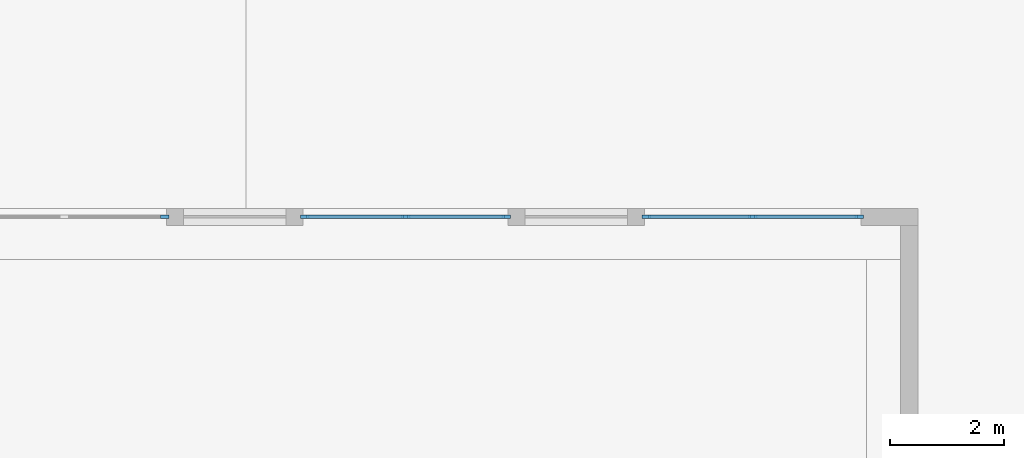
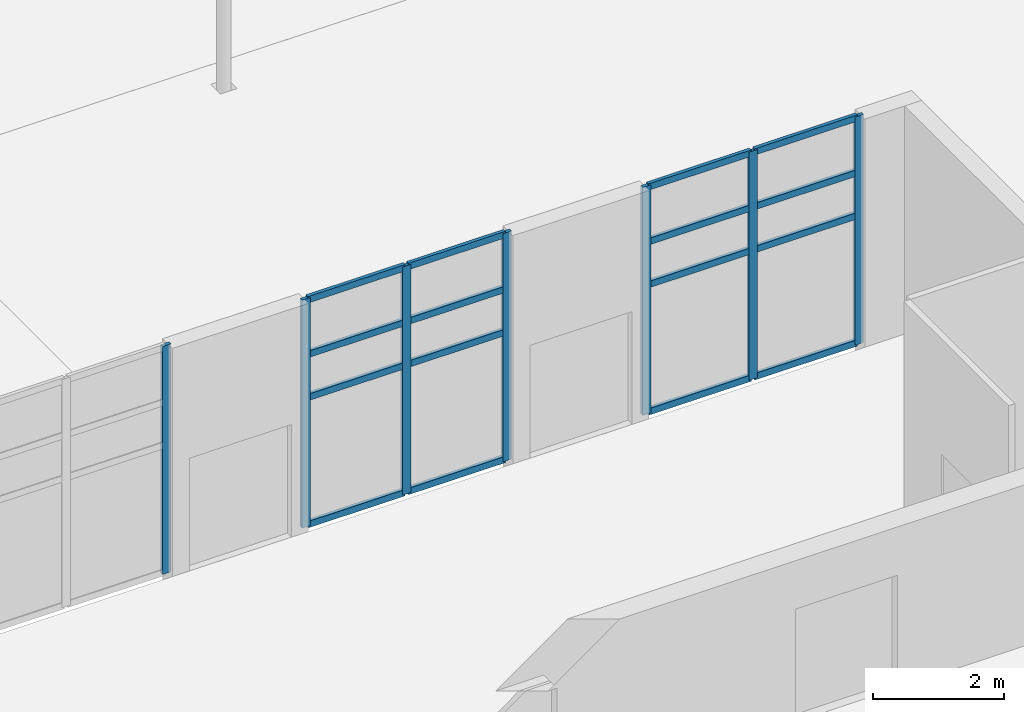
# One storey, part 25 of 112: 23 members, 3 elements without a shape of their own.
"""IFC4 building model written with IfcOpenShell, lengths in metres."""

import ifcopenshell
import ifcopenshell.guid

model = None  # the IFC model being written
_history = None  # IfcOwnerHistory: only IFC2X3 demands one
_inside = {}  # id of a spatial element -> (the spatial element, [elements in it])
_under = {}  # id of a project, library or spatial element -> (it, [spatial elements below it])
_declared = {}  # id of a project -> (the project, [libraries it declares])
_typed = {}  # id of a type object -> (the type object, [elements of that type])
_made_of = {}  # id of a material, layer set ... -> (it, [elements and type objects made of it])


def new_model(schema):
    """Start an empty IFC model of exactly this schema.

    Asked for "IFC4X3", IfcOpenShell would pick the latest addendum, in which some entities
    have other attributes; the version numbers below select the first issue.
    IFC2X3 requires an IfcOwnerHistory on every rooted entity: one is made here for all.
    """
    global model, _history
    if schema == "IFC4X3":
        model = ifcopenshell.file(schema_version=(4, 3, 0, 0))
    else:
        model = ifcopenshell.file(schema=schema)
    _inside.clear()
    _under.clear()
    _declared.clear()
    _typed.clear()
    _made_of.clear()
    _history = None
    if model.schema == "IFC2X3":
        org = make("IfcOrganization", Name="unknown")
        user = make(
            "IfcPersonAndOrganization",
            ThePerson=make("IfcPerson", FamilyName="unknown"),
            TheOrganization=org,
        )
        app = make(
            "IfcApplication",
            ApplicationDeveloper=org,
            Version="unknown",
            ApplicationFullName="unknown",
            ApplicationIdentifier="unknown",
        )
        _history = make(
            "IfcOwnerHistory",
            OwningUser=user,
            OwningApplication=app,
            ChangeAction="ADDED",
            CreationDate=0,
        )
    return model


def make(cls, **values):
    """One entity of the class cls with the attributes given. An attribute that is None is left unset."""
    return model.create_entity(
        cls, **{name: value for name, value in values.items() if value is not None}
    )


def rooted(cls, **values):
    """An entity with a GlobalId (a new one), such as an element, a storey or a relation."""
    return make(cls, GlobalId=ifcopenshell.guid.new(), OwnerHistory=_history, **values)


def si_unit(unit_type, name, prefix=None):
    """IfcSIUnit, for example si_unit("LENGTHUNIT", "METRE", prefix="MILLI")."""
    return make("IfcSIUnit", UnitType=unit_type, Prefix=prefix, Name=name)


def assignment(units):
    """IfcUnitAssignment: the units of a project."""
    return None if units is None else make("IfcUnitAssignment", Units=units)


def point(xyz):
    """IfcCartesianPoint."""
    return None if xyz is None else make("IfcCartesianPoint", Coordinates=xyz)


def direction(xyz):
    """IfcDirection."""
    return None if xyz is None else make("IfcDirection", DirectionRatios=xyz)


def frame(location, z_axis=None, x_axis=None):
    """IfcAxis2Placement3D, a coordinate frame: its origin and axes. An axis left out is left unset."""
    return make(
        "IfcAxis2Placement3D",
        Location=point(location),
        Axis=direction(z_axis),
        RefDirection=direction(x_axis),
    )


def frame_2d(location, x_axis=None):
    """IfcAxis2Placement2D, a coordinate frame in the plane: its origin and x axis."""
    return make(
        "IfcAxis2Placement2D", Location=point(location), RefDirection=direction(x_axis)
    )


def origin():
    """The frame at (0, 0, 0) with its axes left unset."""
    return frame((0.0, 0.0, 0.0))


def origin_2d():
    """The frame at (0, 0) in the plane with its x axis left unset."""
    return frame_2d((0.0, 0.0))


def place(relative_to, where):
    """IfcLocalPlacement: puts the frame where relative to a parent placement (None: the world)."""
    return make(
        "IfcLocalPlacement", PlacementRelTo=relative_to, RelativePlacement=where
    )


def context(
    kind, dimensions, precision=None, world=None, true_north=None, identifier=None
):
    """IfcGeometricRepresentationContext, for example the 3D "Model" context."""
    return make(
        "IfcGeometricRepresentationContext",
        ContextIdentifier=identifier,
        ContextType=kind,
        CoordinateSpaceDimension=dimensions,
        Precision=precision,
        WorldCoordinateSystem=world,
        TrueNorth=true_north,
    )


def subcontext(parent, identifier, kind, view, scale=None):
    """IfcGeometricRepresentationSubContext, for example "Body" below "Model"."""
    return make(
        "IfcGeometricRepresentationSubContext",
        ContextIdentifier=identifier,
        ContextType=kind,
        ParentContext=parent,
        TargetScale=scale,
        TargetView=view,
    )


def project(units=None, contexts=None):
    """IfcProject with its units and contexts."""
    return rooted(
        "IfcProject",
        Name="project",
        RepresentationContexts=contexts,
        UnitsInContext=assignment(units),
    )


def spatial(cls, under=None, at=None, **own):
    """A site, building, storey or space (cls), placed at a placement, below another one or the project."""
    s = rooted(cls, ObjectPlacement=at, **own)
    if under is not None:
        _under.setdefault(under.id(), (under, []))[1].append(s)
    return s


def profile(cls, at=None, kind="AREA", **sizes):
    """A parametric profile (cls). Its sizes go by their IFC names, for example OverallWidth=200.0."""
    return make(cls, ProfileType=kind, Position=at, **sizes)


def rectangle(**sizes):
    """IfcRectangleProfileDef."""
    return profile("IfcRectangleProfileDef", **sizes)


def extrude(swept, where, along, depth):
    """IfcExtrudedAreaSolid: the profile swept, set in the frame where, extruded along a direction by depth."""
    return make(
        "IfcExtrudedAreaSolid",
        SweptArea=swept,
        Position=where,
        ExtrudedDirection=direction(along),
        Depth=depth,
    )


def shape(context_of_items, identifier, shape_type, items):
    """IfcShapeRepresentation: the items that make up one representation, for example the "Body"."""
    return make(
        "IfcShapeRepresentation",
        ContextOfItems=context_of_items,
        RepresentationIdentifier=identifier,
        RepresentationType=shape_type,
        Items=items,
    )


def material(Name=None, Category=None):
    """IfcMaterial."""
    return make("IfcMaterial", Name=Name, Category=Category)


def layer(
    of_material, thickness, ventilated=None, Name=None, Category=None, Priority=None
):
    """IfcMaterialLayer: one layer of a wall or slab, of a material (None: an air gap)."""
    return make(
        "IfcMaterialLayer",
        Material=of_material,
        LayerThickness=thickness,
        IsVentilated=ventilated,
        Name=Name,
        Category=Category,
        Priority=Priority,
    )


def layer_set(layers, Name=None):
    """IfcMaterialLayerSet."""
    return make("IfcMaterialLayerSet", MaterialLayers=layers, LayerSetName=Name)


def material_profile(
    of_material, cross_section, Name=None, Category=None, Priority=None
):
    """IfcMaterialProfile: a cross section and its material."""
    return make(
        "IfcMaterialProfile",
        Name=Name,
        Material=of_material,
        Profile=cross_section,
        Priority=Priority,
        Category=Category,
    )


def profile_set(profiles, Name=None, composite=None):
    """IfcMaterialProfileSet."""
    return make(
        "IfcMaterialProfileSet",
        Name=Name,
        MaterialProfiles=profiles,
        CompositeProfile=composite,
    )


def made_of(thing, what):
    """Note that an element or type object is made of a material, layer set ...; save() writes the relation."""
    if what is not None:
        _made_of.setdefault(what.id(), (what, []))[1].append(thing)
    return thing


def type_object(cls, material=None, **own):
    """A type object (cls), such as IfcWallType, which elements share."""
    return made_of(rooted(cls, **own), material)


def element(
    cls,
    number,
    at=None,
    inside=None,
    cuts=None,
    type_object=None,
    material=None,
    context=None,
    identifier="Body",
    shape_type=None,
    held_by="IfcProductDefinitionShape",
    body=None,
    shapes=None,
    **own,
):
    """One element of the class cls, such as IfcWall. Its Tag is "e" and its number.

    at: its placement. inside: the storey or other place that contains it. cuts: it is an
    opening in that element (IfcRelVoidsElement). A single representation is given by context,
    identifier, shape_type and body (its items); several are given by shapes. held_by: the class
    of the entity that holds the representations. save() writes the other relations.
    """
    e = rooted(cls, Tag="e%d" % number, ObjectPlacement=at, **own)
    if body is not None:
        shapes = [shape(context, identifier, shape_type, body)]
    if shapes is not None:
        e.Representation = make(held_by, Representations=shapes)
    if inside is not None:
        _inside.setdefault(inside.id(), (inside, []))[1].append(e)
    if cuts is not None:
        rooted(
            "IfcRelVoidsElement", RelatingBuildingElement=cuts, RelatedOpeningElement=e
        )
    if type_object is not None:
        _typed.setdefault(type_object.id(), (type_object, []))[1].append(e)
    return made_of(e, material)


def aggregate(whole, parts):
    """IfcRelAggregates: a whole, such as a stair, and the parts it consists of."""
    return rooted("IfcRelAggregates", RelatingObject=whole, RelatedObjects=parts)


def save(model, path):
    """Write the relations noted so far, then the file.

    IfcRelAggregates (storeys below a building ...), IfcRelContainedInSpatialStructure (elements
    in a storey), IfcRelDefinesByType, IfcRelAssociatesMaterial and IfcRelDeclares: one each for
    every whole, place, type object, material and project.
    """
    for whole, parts in _under.values():
        aggregate(whole, parts)
    for where, things in _inside.values():
        rooted(
            "IfcRelContainedInSpatialStructure",
            RelatedElements=things,
            RelatingStructure=where,
        )
    for kind, things in _typed.values():
        rooted("IfcRelDefinesByType", RelatedObjects=things, RelatingType=kind)
    for what, things in _made_of.values():
        rooted("IfcRelAssociatesMaterial", RelatedObjects=things, RelatingMaterial=what)
    for by, libraries in _declared.values():
        rooted("IfcRelDeclares", RelatingContext=by, RelatedDefinitions=libraries)
    model.write(path)


model = new_model("IFC4")

# Units and contexts
model_context = context("Model", 3, precision=1e-05, world=origin(), true_north=direction((0.0, 1.0)))
body_context = subcontext(model_context, "Body", "Model", "MODEL_VIEW")
ifc_project = project(units=[si_unit("LENGTHUNIT", "METRE"), si_unit("AREAUNIT", "SQUARE_METRE"), si_unit("VOLUMEUNIT", "CUBIC_METRE"), si_unit("PLANEANGLEUNIT", "RADIAN"), si_unit("MASSUNIT", "GRAM", prefix="KILO")], contexts=[model_context])

# Site, building, storey
site_placement = place(None, origin())
site = spatial("IfcSite", under=ifc_project, at=site_placement, CompositionType="ELEMENT")
building_placement = place(site_placement, origin())
building = spatial("IfcBuilding", under=site, at=building_placement, Name="Ridgestep Commons", CompositionType="ELEMENT")
storey_placement = place(building_placement, origin())
storey = spatial("IfcBuildingStorey", under=building, at=storey_placement, Name="L00", CompositionType="ELEMENT", Elevation=0.0)

# Curtain wall, member
ifc_material_1 = material(Name="Aluminium and glass", Category="aluminium")
ifc_layer = layer(ifc_material_1, 0.199951171875)
ifc_layer_set = layer_set([ifc_layer], Name="Foyer curtain wall")
curtain_wall_type = type_object("IfcCurtainWallType", Name="Foyer curtain wall", PredefinedType="NOTDEFINED", material=ifc_layer_set)
curtain_wall_1_placement = place(storey_placement, origin())
curtain_wall_1 = element("IfcCurtainWall", 1, at=curtain_wall_1_placement, inside=storey, type_object=curtain_wall_type, Name="Foyer curtain wall", PredefinedType="NOTDEFINED")
ifc_material_2 = material(Name="Aluminium", Category="aluminium")
ifc_material_profile_1 = material_profile(ifc_material_2, rectangle(XDim=0.06005859375, YDim=0.14990234375, at=origin_2d()), Name="Foyer mullion 60 x 150")
ifc_profile_set_1 = profile_set([ifc_material_profile_1], Name="Aluminium")
member_type_1 = type_object("IfcMemberType", Name="Foyer mullion 60 x 150", PredefinedType="MULLION", material=ifc_profile_set_1)
member_1_placement = place(storey_placement, frame((128.570068359375, 72.64990234375, 0.0), z_axis=(0.0, 0.0, 1.0), x_axis=(0.0, 1.0, 0.0)))
member_1 = element("IfcMember", 2, at=member_1_placement, type_object=member_type_1, Name="CW2 mullion 3", PredefinedType="MULLION", context=body_context, shape_type="SweptSolid", body=[
    extrude(rectangle(XDim=0.06005859375, YDim=0.14990234375, at=origin_2d()), origin(), (0.0, 0.0, 1.0), 4.25),
])
aggregate(curtain_wall_1, [member_1])

# Curtain wall, members
curtain_wall_2_placement = place(storey_placement, origin())
curtain_wall_2 = element("IfcCurtainWall", 3, at=curtain_wall_2_placement, inside=storey, type_object=curtain_wall_type, Name="Foyer curtain wall", PredefinedType="NOTDEFINED")
member_2_placement = place(storey_placement, frame((131.030029296875, 72.64990234375, 0.0), z_axis=(0.0, 0.0, 1.0), x_axis=(0.0, 1.0, 0.0)))
member_2 = element("IfcMember", 4, at=member_2_placement, type_object=member_type_1, Name="CW2 mullion 1", PredefinedType="MULLION", context=body_context, shape_type="SweptSolid", body=[
    extrude(rectangle(XDim=0.06005859375, YDim=0.14990234375, at=origin_2d()), origin(), (0.0, 0.0, 1.0), 4.25),
])
member_3_placement = place(storey_placement, frame((132.800048828125, 72.64990234375, 0.0), z_axis=(0.0, 0.0, 1.0), x_axis=(0.0, 1.0, 0.0)))
member_3 = element("IfcMember", 5, at=member_3_placement, type_object=member_type_1, Name="CW2 mullion 2", PredefinedType="MULLION", context=body_context, shape_type="SweptSolid", body=[
    extrude(rectangle(XDim=0.06005859375, YDim=0.14990234375, at=origin_2d()), origin(), (0.0, 0.0, 1.0), 4.25),
])
member_4_placement = place(storey_placement, frame((134.570068359375, 72.64990234375, 0.0), z_axis=(0.0, 0.0, 1.0), x_axis=(0.0, 1.0, 0.0)))
member_4 = element("IfcMember", 6, at=member_4_placement, type_object=member_type_1, Name="CW2 mullion 3", PredefinedType="MULLION", context=body_context, shape_type="SweptSolid", body=[
    extrude(rectangle(XDim=0.06005859375, YDim=0.14990234375, at=origin_2d()), origin(), (0.0, 0.0, 1.0), 4.25),
])

curtain_wall_3_placement = place(storey_placement, origin())
curtain_wall_3 = element("IfcCurtainWall", 7, at=curtain_wall_3_placement, inside=storey, type_object=curtain_wall_type, Name="Foyer curtain wall", PredefinedType="NOTDEFINED")
member_5_placement = place(storey_placement, frame((137.030029296875, 72.64990234375, 0.0), z_axis=(0.0, 0.0, 1.0), x_axis=(0.0, 1.0, 0.0)))
member_5 = element("IfcMember", 8, at=member_5_placement, type_object=member_type_1, Name="CW2 mullion 1", PredefinedType="MULLION", context=body_context, shape_type="SweptSolid", body=[
    extrude(rectangle(XDim=0.06005859375, YDim=0.14990234375, at=origin_2d()), origin(), (0.0, 0.0, 1.0), 4.25),
])
member_6_placement = place(storey_placement, frame((138.89990234375, 72.64990234375, 0.0), z_axis=(0.0, 0.0, 1.0), x_axis=(0.0, 1.0, 0.0)))
member_6 = element("IfcMember", 9, at=member_6_placement, type_object=member_type_1, Name="CW2 mullion 2", PredefinedType="MULLION", context=body_context, shape_type="SweptSolid", body=[
    extrude(rectangle(XDim=0.06005859375, YDim=0.14990234375, at=origin_2d()), origin(), (0.0, 0.0, 1.0), 4.25),
])
member_7_placement = place(storey_placement, frame((140.77001953125, 72.64990234375, 0.0), z_axis=(0.0, 0.0, 1.0), x_axis=(0.0, 1.0, 0.0)))
member_7 = element("IfcMember", 10, at=member_7_placement, type_object=member_type_1, Name="CW2 mullion 3", PredefinedType="MULLION", context=body_context, shape_type="SweptSolid", body=[
    extrude(rectangle(XDim=0.06005859375, YDim=0.14990234375, at=origin_2d()), origin(), (0.0, 0.0, 1.0), 4.25),
])

# Member
ifc_material_3 = material(Name="Aluminium", Category="aluminium")
ifc_material_profile_2 = material_profile(ifc_material_3, rectangle(XDim=0.06005859375, YDim=0.1201171875, at=origin_2d()), Name="Foyer transom 60 x 120")
ifc_profile_set_2 = profile_set([ifc_material_profile_2], Name="Aluminium")
member_type_2 = type_object("IfcMemberType", Name="Foyer transom 60 x 120", PredefinedType="USERDEFINED", material=ifc_profile_set_2)
member_8_placement = place(storey_placement, frame((131.06005859375, 72.64990234375, 0.030029296875), z_axis=(1.0, 0.0, 0.0), x_axis=(0.0, 1.0, 0.0)))
member_8 = element("IfcMember", 11, at=member_8_placement, type_object=member_type_2, Name="CW2 transom 1.1", ObjectType="TRANSOM", PredefinedType="USERDEFINED", context=body_context, shape_type="SweptSolid", body=[
    extrude(rectangle(XDim=0.06005859375, YDim=0.1201171875, at=origin_2d()), origin(), (0.0, 0.0, 1.0), 1.7099609375),
])

member_9_placement = place(storey_placement, frame((131.06005859375, 72.64990234375, 2.39990234375), z_axis=(1.0, 0.0, 0.0), x_axis=(0.0, 1.0, 0.0)))
member_9 = element("IfcMember", 12, at=member_9_placement, type_object=member_type_2, Name="CW2 transom 1.2", ObjectType="TRANSOM", PredefinedType="USERDEFINED", context=body_context, shape_type="SweptSolid", body=[
    extrude(rectangle(XDim=0.06005859375, YDim=0.1201171875, at=origin_2d()), origin(), (0.0, 0.0, 1.0), 1.7099609375),
])

member_10_placement = place(storey_placement, frame((131.06005859375, 72.64990234375, 3.199951171875), z_axis=(1.0, 0.0, 0.0), x_axis=(0.0, 1.0, 0.0)))
member_10 = element("IfcMember", 13, at=member_10_placement, type_object=member_type_2, Name="CW2 transom 1.3", ObjectType="TRANSOM", PredefinedType="USERDEFINED", context=body_context, shape_type="SweptSolid", body=[
    extrude(rectangle(XDim=0.06005859375, YDim=0.1201171875, at=origin_2d()), origin(), (0.0, 0.0, 1.0), 1.7099609375),
])

member_11_placement = place(storey_placement, frame((131.06005859375, 72.64990234375, 4.219970703125), z_axis=(1.0, 0.0, 0.0), x_axis=(0.0, 1.0, 0.0)))
member_11 = element("IfcMember", 14, at=member_11_placement, type_object=member_type_2, Name="CW2 transom 1.4", ObjectType="TRANSOM", PredefinedType="USERDEFINED", context=body_context, shape_type="SweptSolid", body=[
    extrude(rectangle(XDim=0.06005859375, YDim=0.1201171875, at=origin_2d()), origin(), (0.0, 0.0, 1.0), 1.7099609375),
])

member_12_placement = place(storey_placement, frame((132.830078125, 72.64990234375, 0.030029296875), z_axis=(1.0, 0.0, 0.0), x_axis=(0.0, 1.0, 0.0)))
member_12 = element("IfcMember", 15, at=member_12_placement, type_object=member_type_2, Name="CW2 transom 2.1", ObjectType="TRANSOM", PredefinedType="USERDEFINED", context=body_context, shape_type="SweptSolid", body=[
    extrude(rectangle(XDim=0.06005859375, YDim=0.1201171875, at=origin_2d()), origin(), (0.0, 0.0, 1.0), 1.7099609375),
])

member_13_placement = place(storey_placement, frame((132.830078125, 72.64990234375, 2.39990234375), z_axis=(1.0, 0.0, 0.0), x_axis=(0.0, 1.0, 0.0)))
member_13 = element("IfcMember", 16, at=member_13_placement, type_object=member_type_2, Name="CW2 transom 2.2", ObjectType="TRANSOM", PredefinedType="USERDEFINED", context=body_context, shape_type="SweptSolid", body=[
    extrude(rectangle(XDim=0.06005859375, YDim=0.1201171875, at=origin_2d()), origin(), (0.0, 0.0, 1.0), 1.7099609375),
])

member_14_placement = place(storey_placement, frame((132.830078125, 72.64990234375, 3.199951171875), z_axis=(1.0, 0.0, 0.0), x_axis=(0.0, 1.0, 0.0)))
member_14 = element("IfcMember", 17, at=member_14_placement, type_object=member_type_2, Name="CW2 transom 2.3", ObjectType="TRANSOM", PredefinedType="USERDEFINED", context=body_context, shape_type="SweptSolid", body=[
    extrude(rectangle(XDim=0.06005859375, YDim=0.1201171875, at=origin_2d()), origin(), (0.0, 0.0, 1.0), 1.7099609375),
])

member_15_placement = place(storey_placement, frame((132.830078125, 72.64990234375, 4.219970703125), z_axis=(1.0, 0.0, 0.0), x_axis=(0.0, 1.0, 0.0)))
member_15 = element("IfcMember", 18, at=member_15_placement, type_object=member_type_2, Name="CW2 transom 2.4", ObjectType="TRANSOM", PredefinedType="USERDEFINED", context=body_context, shape_type="SweptSolid", body=[
    extrude(rectangle(XDim=0.06005859375, YDim=0.1201171875, at=origin_2d()), origin(), (0.0, 0.0, 1.0), 1.7099609375),
])

aggregate(curtain_wall_2, [member_2, member_3, member_4, member_8, member_9, member_10, member_11, member_12, member_13, member_14, member_15])

member_16_placement = place(storey_placement, frame((137.06005859375, 72.64990234375, 0.030029296875), z_axis=(1.0, 0.0, 0.0), x_axis=(0.0, 1.0, 0.0)))
member_16 = element("IfcMember", 19, at=member_16_placement, type_object=member_type_2, Name="CW2 transom 1.1", ObjectType="TRANSOM", PredefinedType="USERDEFINED", context=body_context, shape_type="SweptSolid", body=[
    extrude(rectangle(XDim=0.06005859375, YDim=0.1201171875, at=origin_2d()), origin(), (0.0, 0.0, 1.0), 1.81005859375),
])

member_17_placement = place(storey_placement, frame((137.06005859375, 72.64990234375, 2.39990234375), z_axis=(1.0, 0.0, 0.0), x_axis=(0.0, 1.0, 0.0)))
member_17 = element("IfcMember", 20, at=member_17_placement, type_object=member_type_2, Name="CW2 transom 1.2", ObjectType="TRANSOM", PredefinedType="USERDEFINED", context=body_context, shape_type="SweptSolid", body=[
    extrude(rectangle(XDim=0.06005859375, YDim=0.1201171875, at=origin_2d()), origin(), (0.0, 0.0, 1.0), 1.81005859375),
])

member_18_placement = place(storey_placement, frame((137.06005859375, 72.64990234375, 3.199951171875), z_axis=(1.0, 0.0, 0.0), x_axis=(0.0, 1.0, 0.0)))
member_18 = element("IfcMember", 21, at=member_18_placement, type_object=member_type_2, Name="CW2 transom 1.3", ObjectType="TRANSOM", PredefinedType="USERDEFINED", context=body_context, shape_type="SweptSolid", body=[
    extrude(rectangle(XDim=0.06005859375, YDim=0.1201171875, at=origin_2d()), origin(), (0.0, 0.0, 1.0), 1.81005859375),
])

member_19_placement = place(storey_placement, frame((137.06005859375, 72.64990234375, 4.219970703125), z_axis=(1.0, 0.0, 0.0), x_axis=(0.0, 1.0, 0.0)))
member_19 = element("IfcMember", 22, at=member_19_placement, type_object=member_type_2, Name="CW2 transom 1.4", ObjectType="TRANSOM", PredefinedType="USERDEFINED", context=body_context, shape_type="SweptSolid", body=[
    extrude(rectangle(XDim=0.06005859375, YDim=0.1201171875, at=origin_2d()), origin(), (0.0, 0.0, 1.0), 1.81005859375),
])

member_20_placement = place(storey_placement, frame((138.929931640625, 72.64990234375, 0.030029296875), z_axis=(1.0, 0.0, 0.0), x_axis=(0.0, 1.0, 0.0)))
member_20 = element("IfcMember", 23, at=member_20_placement, type_object=member_type_2, Name="CW2 transom 2.1", ObjectType="TRANSOM", PredefinedType="USERDEFINED", context=body_context, shape_type="SweptSolid", body=[
    extrude(rectangle(XDim=0.06005859375, YDim=0.1201171875, at=origin_2d()), origin(), (0.0, 0.0, 1.0), 1.81005859375),
])

member_21_placement = place(storey_placement, frame((138.929931640625, 72.64990234375, 2.39990234375), z_axis=(1.0, 0.0, 0.0), x_axis=(0.0, 1.0, 0.0)))
member_21 = element("IfcMember", 24, at=member_21_placement, type_object=member_type_2, Name="CW2 transom 2.2", ObjectType="TRANSOM", PredefinedType="USERDEFINED", context=body_context, shape_type="SweptSolid", body=[
    extrude(rectangle(XDim=0.06005859375, YDim=0.1201171875, at=origin_2d()), origin(), (0.0, 0.0, 1.0), 1.81005859375),
])

member_22_placement = place(storey_placement, frame((138.929931640625, 72.64990234375, 3.199951171875), z_axis=(1.0, 0.0, 0.0), x_axis=(0.0, 1.0, 0.0)))
member_22 = element("IfcMember", 25, at=member_22_placement, type_object=member_type_2, Name="CW2 transom 2.3", ObjectType="TRANSOM", PredefinedType="USERDEFINED", context=body_context, shape_type="SweptSolid", body=[
    extrude(rectangle(XDim=0.06005859375, YDim=0.1201171875, at=origin_2d()), origin(), (0.0, 0.0, 1.0), 1.81005859375),
])

member_23_placement = place(storey_placement, frame((138.929931640625, 72.64990234375, 4.219970703125), z_axis=(1.0, 0.0, 0.0), x_axis=(0.0, 1.0, 0.0)))
member_23 = element("IfcMember", 26, at=member_23_placement, type_object=member_type_2, Name="CW2 transom 2.4", ObjectType="TRANSOM", PredefinedType="USERDEFINED", context=body_context, shape_type="SweptSolid", body=[
    extrude(rectangle(XDim=0.06005859375, YDim=0.1201171875, at=origin_2d()), origin(), (0.0, 0.0, 1.0), 1.81005859375),
])

aggregate(curtain_wall_3, [member_5, member_6, member_7, member_16, member_17, member_18, member_19, member_20, member_21, member_22, member_23])

save(model, "model.ifc")
